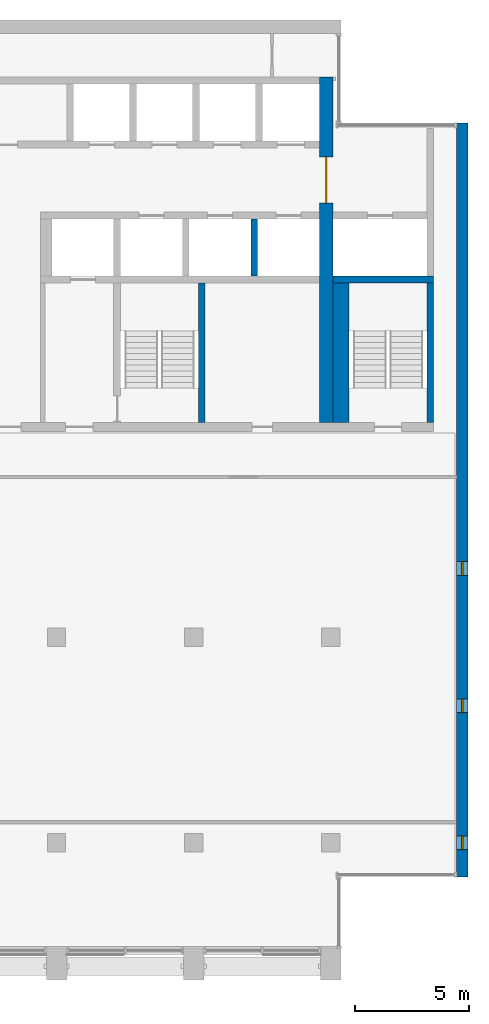
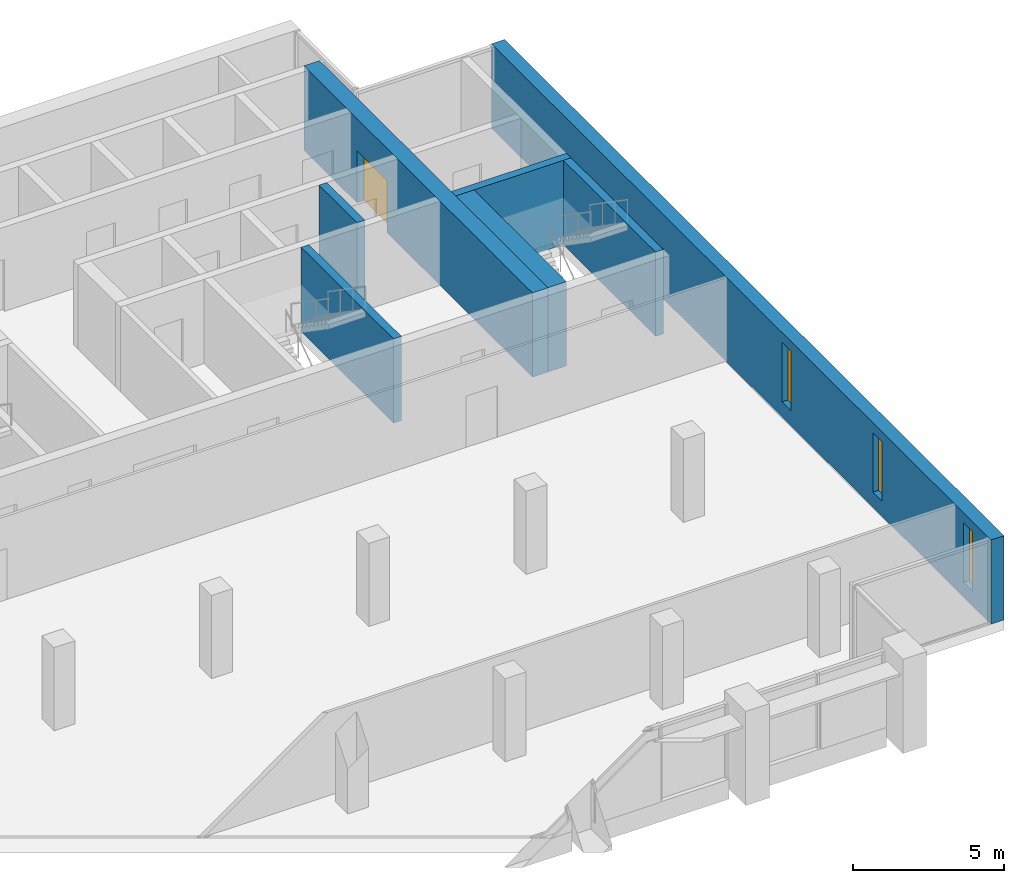
# One storey, part 9 of 14: 7 walls, 3 windows, 1 door, 4 openings.
"""IFC4 building model written with IfcOpenShell, lengths in metres."""

from ifc_helpers import new_model, si_unit, direction, frame, frame_2d, origin, place, context, subcontext, project, spatial, rectangle, extrude, material, layer, layer_set, type_object, element, fill, save


model = new_model("IFC4")

# Units and contexts
model_context = context("Model", 3, precision=1e-05, world=origin(), true_north=direction((0.0, 1.0)))
body_context = subcontext(model_context, "Body", "Model", "MODEL_VIEW")
ifc_project = project(units=[si_unit("LENGTHUNIT", "METRE"), si_unit("AREAUNIT", "SQUARE_METRE"), si_unit("VOLUMEUNIT", "CUBIC_METRE"), si_unit("PLANEANGLEUNIT", "RADIAN"), si_unit("MASSUNIT", "GRAM", prefix="KILO")], contexts=[model_context])

# Site, building, storey
site_placement = place(None, origin())
site = spatial("IfcSite", under=ifc_project, at=site_placement, CompositionType="ELEMENT")
building_placement = place(site_placement, origin())
building = spatial("IfcBuilding", under=site, at=building_placement, Name="Calvaro Tower", CompositionType="ELEMENT")
storey_placement = place(building_placement, frame((0.0, 0.0, 258.35009765625)))
storey = spatial("IfcBuildingStorey", under=building, at=storey_placement, Name="L65", CompositionType="ELEMENT", Elevation=258.35009765625)

# Walls
ifc_material_1 = material(Name="Concrete C40/50", Category="concrete")
ifc_layer_1 = layer(ifc_material_1, 0.300048828125)
ifc_layer_set_1 = layer_set([ifc_layer_1], Name="Concrete C40/50")
wall_type_1 = type_object("IfcWallType", Name="Core wall C40/50 300", PredefinedType="SHEAR", material=ifc_layer_set_1)
for number, where, z_axis, x_axis, name in (
    (1, (54.35009765625, 28.39990234375, 0.0), (0.0, 0.0, 1.0), (0.0, 1.0, 0.0), "Core wall, stair enclosure"),
    (2, (64.35009765625, 28.39990234375, 0.0), (0.0, 0.0, 1.0), (0.0, 1.0, 0.0), "Core wall, stair enclosure"),
):
    element("IfcWall", number, at=place(storey_placement, frame(where, z_axis=z_axis, x_axis=x_axis)), inside=storey, type_object=wall_type_1, Name=name, PredefinedType="SHEAR", context=body_context, shape_type="SweptSolid", body=[
        extrude(rectangle(XDim=6.10009765625, YDim=0.300048828125, at=frame_2d((3.050048828125, 0.0))), origin(), (0.0, 0.0, 1.0), 3.39990234375),
    ])
wall_1_placement = place(storey_placement, frame((60.10009765625, 34.64990234375, 0.0), z_axis=(0.0, 0.0, 1.0), x_axis=(1.0, 0.0, 0.0)))
element("IfcWall", 3, at=wall_1_placement, inside=storey, type_object=wall_type_1, Name="Core wall, lift shaft", PredefinedType="SHEAR", context=body_context, shape_type="SweptSolid", body=[
    extrude(rectangle(XDim=4.39990234375, YDim=0.300048828125, at=frame_2d((2.199951171875, 0.0))), origin(), (0.0, 0.0, 1.0), 3.39990234375),
])
wall_2_placement = place(storey_placement, frame((56.64990234375, 34.800048828125, 0.0), z_axis=(0.0, 0.0, 1.0), x_axis=(0.0, 1.0, 0.0)))
element("IfcWall", 4, at=wall_2_placement, inside=storey, type_object=wall_type_1, Name="Core wall, lift shaft", PredefinedType="SHEAR", context=body_context, shape_type="SweptSolid", body=[
    extrude(rectangle(XDim=2.5, YDim=0.300048828125, at=frame_2d((1.25, 0.0))), origin(), (0.0, 0.0, 1.0), 3.39990234375),
])

# Wall, opening, door
ifc_material_2 = material(Name="Concrete C40/50", Category="concrete")
ifc_layer_2 = layer(ifc_material_2, 0.60009765625)
ifc_layer_set_2 = layer_set([ifc_layer_2], Name="Concrete C40/50")
wall_type_2 = type_object("IfcWallType", Name="Core wall C40/50 600", PredefinedType="SHEAR", material=ifc_layer_set_2)
wall_3_placement = place(storey_placement, frame((59.800048828125, 28.39990234375, 0.0), z_axis=(0.0, 0.0, 1.0), x_axis=(0.0, 1.0, 0.0)))
wall_3 = element("IfcWall", 5, at=wall_3_placement, inside=storey, type_object=wall_type_2, Name="Core wall, cross shear wall", PredefinedType="SHEAR", context=body_context, shape_type="SweptSolid", body=[
    extrude(rectangle(XDim=15.10009765625, YDim=0.60009765625, at=frame_2d((7.550048828125, 0.0))), origin(), (0.0, 0.0, 1.0), 3.39990234375),
])
opening_1_placement = place(wall_3_placement, frame((9.60009765625, 0.0, 0.0)))
opening_1 = element("IfcOpeningElement", 6, at=opening_1_placement, cuts=wall_3, Name="Opening DD20D", PredefinedType="OPENING", context=body_context, shape_type="SweptSolid", body=[
    extrude(rectangle(XDim=2.0, YDim=2.10009765625, at=frame_2d((1.0, 1.050048828125))), frame((0.0, 0.31005859375, 0.0), z_axis=(0.0, -1.0, 0.0), x_axis=(1.0, 0.0, 0.0)), (0.0, 0.0, 1.0), 0.6201171875),
])
ifc_material_3 = material(Name="Steel door set", Category="steel")
door_type = type_object("IfcDoorType", Name="Lobby double door 2000 FD30S", OperationType="DOUBLE_DOOR_SINGLE_SWING", PredefinedType="DOOR", material=ifc_material_3)
door_placement = place(opening_1_placement, origin())
door = element("IfcDoor", 7, at=door_placement, inside=storey, type_object=door_type, Name="Lobby double door", OperationType="DOUBLE_DOOR_SINGLE_SWING", OverallHeight=2.10009765625, OverallWidth=2.0, PredefinedType="DOOR", context=body_context, shape_type="SweptSolid", body=[
    extrude(rectangle(XDim=2.0, YDim=2.10009765625, at=frame_2d((1.0, 1.050048828125))), frame((0.0, 0.02490234375, 0.0), z_axis=(0.0, -1.0, 0.0), x_axis=(1.0, 0.0, 0.0)), (0.0, 0.0, 1.0), 0.050048828125),
])
fill(opening_1, door)

# Wall
ifc_material_4 = material(Name="Concrete C40/50", Category="concrete")
ifc_layer_3 = layer(ifc_material_4, 0.699951171875)
ifc_layer_set_3 = layer_set([ifc_layer_3], Name="Concrete C40/50")
wall_type_3 = type_object("IfcWallType", Name="Core wall C40/50 700", PredefinedType="SHEAR", material=ifc_layer_set_3)
wall_4_placement = place(storey_placement, frame((60.449951171875, 28.39990234375, 0.0), z_axis=(0.0, 0.0, 1.0), x_axis=(0.0, 1.0, 0.0)))
element("IfcWall", 8, at=wall_4_placement, inside=storey, type_object=wall_type_3, Name="Core wall, stair enclosure", PredefinedType="SHEAR", context=body_context, shape_type="SweptSolid", body=[
    extrude(rectangle(XDim=6.10009765625, YDim=0.699951171875, at=frame_2d((3.050048828125, 0.0))), origin(), (0.0, 0.0, 1.0), 3.39990234375),
])

# Wall, openings, windows
ifc_material_5 = material(Name="Concrete C40/50", Category="concrete")
ifc_layer_4 = layer(ifc_material_5, 0.5)
ifc_layer_set_4 = layer_set([ifc_layer_4], Name="Concrete C40/50")
wall_type_4 = type_object("IfcWallType", Name="End wall 500 C40/50", PredefinedType="SHEAR", material=ifc_layer_set_4)
wall_5_placement = place(storey_placement, frame((65.75, 8.5, 0.0), z_axis=(0.0, 0.0, 1.0), x_axis=(0.0, 1.0, 0.0)))
wall_5 = element("IfcWall", 9, at=wall_5_placement, inside=storey, type_object=wall_type_4, Name="End shear wall", PredefinedType="SHEAR", context=body_context, shape_type="SweptSolid", body=[
    extrude(rectangle(XDim=33.0, YDim=0.5, at=frame_2d((16.5, 0.0))), origin(), (0.0, 0.0, 1.0), 3.39990234375),
])
opening_2_placement = place(wall_5_placement, frame((1.199951171875, 0.0, 0.60009765625)))
opening_2 = element("IfcOpeningElement", 10, at=opening_2_placement, cuts=wall_5, Name="Opening WE01", PredefinedType="OPENING", context=body_context, shape_type="SweptSolid", body=[
    extrude(rectangle(XDim=0.60009765625, YDim=2.39990234375, at=frame_2d((0.300048828125, 1.199951171875))), frame((0.0, 0.260009765625, 0.0), z_axis=(0.0, -1.0, 0.0), x_axis=(1.0, 0.0, 0.0)), (0.0, 0.0, 1.0), 0.52001953125),
])
opening_3_placement = place(wall_5_placement, frame((7.199951171875, 0.0, 0.60009765625)))
opening_3 = element("IfcOpeningElement", 11, at=opening_3_placement, cuts=wall_5, Name="Opening WE02", PredefinedType="OPENING", context=body_context, shape_type="SweptSolid", body=[
    extrude(rectangle(XDim=0.60009765625, YDim=2.39990234375, at=frame_2d((0.300048828125, 1.199951171875))), frame((0.0, 0.260009765625, 0.0), z_axis=(0.0, -1.0, 0.0), x_axis=(1.0, 0.0, 0.0)), (0.0, 0.0, 1.0), 0.52001953125),
])
opening_4_placement = place(wall_5_placement, frame((13.199951171875, 0.0, 0.60009765625)))
opening_4 = element("IfcOpeningElement", 12, at=opening_4_placement, cuts=wall_5, Name="Opening WE03", PredefinedType="OPENING", context=body_context, shape_type="SweptSolid", body=[
    extrude(rectangle(XDim=0.60009765625, YDim=2.39990234375, at=frame_2d((0.300048828125, 1.199951171875))), frame((0.0, 0.260009765625, 0.0), z_axis=(0.0, -1.0, 0.0), x_axis=(1.0, 0.0, 0.0)), (0.0, 0.0, 1.0), 0.52001953125),
])
ifc_material_6 = material(Name="Glass", Category="glass")
window_type = type_object("IfcWindowType", Name="Slit window 600 x 2400", PartitioningType="SINGLE_PANEL", PredefinedType="WINDOW", material=ifc_material_6)
window_1_placement = place(opening_2_placement, origin())
window_1 = element("IfcWindow", 13, at=window_1_placement, inside=storey, type_object=window_type, Name="Window WE01", OverallHeight=2.39990234375, OverallWidth=0.60009765625, PartitioningType="SINGLE_PANEL", PredefinedType="WINDOW", context=body_context, shape_type="SweptSolid", body=[
    extrude(rectangle(XDim=0.60009765625, YDim=2.39990234375, at=frame_2d((0.300048828125, 1.199951171875))), frame((0.0, 0.030029296875, 0.0), z_axis=(0.0, -1.0, 0.0), x_axis=(1.0, 0.0, 0.0)), (0.0, 0.0, 1.0), 0.06005859375),
])
fill(opening_2, window_1)
window_2_placement = place(opening_3_placement, origin())
window_2 = element("IfcWindow", 14, at=window_2_placement, inside=storey, type_object=window_type, Name="Window WE02", OverallHeight=2.39990234375, OverallWidth=0.60009765625, PartitioningType="SINGLE_PANEL", PredefinedType="WINDOW", context=body_context, shape_type="SweptSolid", body=[
    extrude(rectangle(XDim=0.60009765625, YDim=2.39990234375, at=frame_2d((0.300048828125, 1.199951171875))), frame((0.0, 0.030029296875, 0.0), z_axis=(0.0, -1.0, 0.0), x_axis=(1.0, 0.0, 0.0)), (0.0, 0.0, 1.0), 0.06005859375),
])
fill(opening_3, window_2)
window_3_placement = place(opening_4_placement, origin())
window_3 = element("IfcWindow", 15, at=window_3_placement, inside=storey, type_object=window_type, Name="Window WE03", OverallHeight=2.39990234375, OverallWidth=0.60009765625, PartitioningType="SINGLE_PANEL", PredefinedType="WINDOW", context=body_context, shape_type="SweptSolid", body=[
    extrude(rectangle(XDim=0.60009765625, YDim=2.39990234375, at=frame_2d((0.300048828125, 1.199951171875))), frame((0.0, 0.030029296875, 0.0), z_axis=(0.0, -1.0, 0.0), x_axis=(1.0, 0.0, 0.0)), (0.0, 0.0, 1.0), 0.06005859375),
])
fill(opening_4, window_3)

save(model, "model.ifc")
